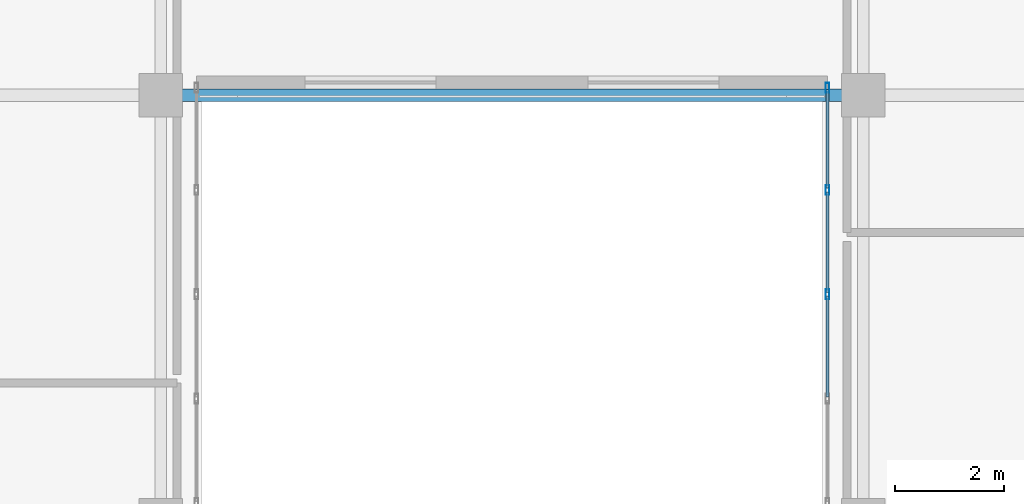
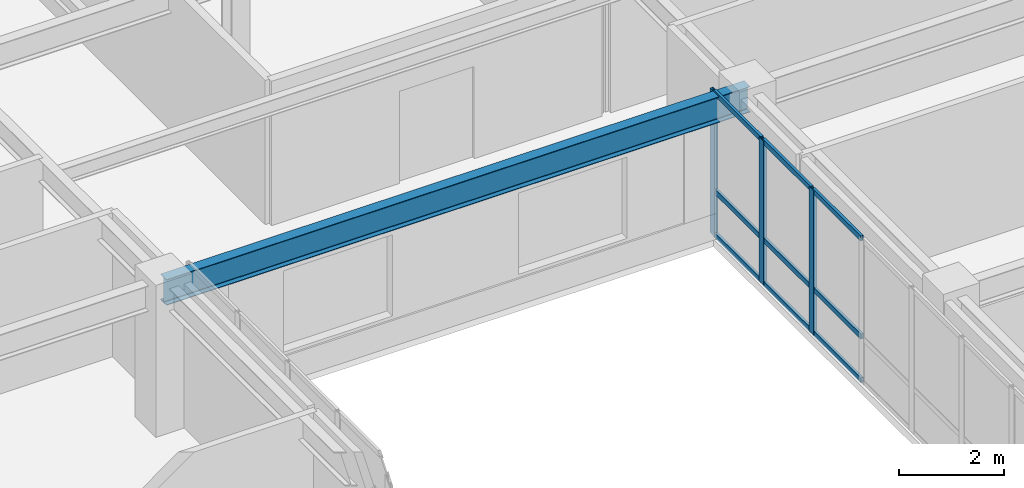
# One storey, part 6 of 20: 12 members, 1 beam, 1 element without a shape of its own.
"""IFC4 building model written with IfcOpenShell, lengths in metres."""

import ifcopenshell
import ifcopenshell.guid

model = None  # the IFC model being written
_history = None  # IfcOwnerHistory: only IFC2X3 demands one
_inside = {}  # id of a spatial element -> (the spatial element, [elements in it])
_under = {}  # id of a project, library or spatial element -> (it, [spatial elements below it])
_declared = {}  # id of a project -> (the project, [libraries it declares])
_typed = {}  # id of a type object -> (the type object, [elements of that type])
_made_of = {}  # id of a material, layer set ... -> (it, [elements and type objects made of it])


def new_model(schema):
    """Start an empty IFC model of exactly this schema.

    Asked for "IFC4X3", IfcOpenShell would pick the latest addendum, in which some entities
    have other attributes; the version numbers below select the first issue.
    IFC2X3 requires an IfcOwnerHistory on every rooted entity: one is made here for all.
    """
    global model, _history
    if schema == "IFC4X3":
        model = ifcopenshell.file(schema_version=(4, 3, 0, 0))
    else:
        model = ifcopenshell.file(schema=schema)
    _inside.clear()
    _under.clear()
    _declared.clear()
    _typed.clear()
    _made_of.clear()
    _history = None
    if model.schema == "IFC2X3":
        org = make("IfcOrganization", Name="unknown")
        user = make(
            "IfcPersonAndOrganization",
            ThePerson=make("IfcPerson", FamilyName="unknown"),
            TheOrganization=org,
        )
        app = make(
            "IfcApplication",
            ApplicationDeveloper=org,
            Version="unknown",
            ApplicationFullName="unknown",
            ApplicationIdentifier="unknown",
        )
        _history = make(
            "IfcOwnerHistory",
            OwningUser=user,
            OwningApplication=app,
            ChangeAction="ADDED",
            CreationDate=0,
        )
    return model


def make(cls, **values):
    """One entity of the class cls with the attributes given. An attribute that is None is left unset."""
    return model.create_entity(
        cls, **{name: value for name, value in values.items() if value is not None}
    )


def rooted(cls, **values):
    """An entity with a GlobalId (a new one), such as an element, a storey or a relation."""
    return make(cls, GlobalId=ifcopenshell.guid.new(), OwnerHistory=_history, **values)


def si_unit(unit_type, name, prefix=None):
    """IfcSIUnit, for example si_unit("LENGTHUNIT", "METRE", prefix="MILLI")."""
    return make("IfcSIUnit", UnitType=unit_type, Prefix=prefix, Name=name)


def assignment(units):
    """IfcUnitAssignment: the units of a project."""
    return None if units is None else make("IfcUnitAssignment", Units=units)


def point(xyz):
    """IfcCartesianPoint."""
    return None if xyz is None else make("IfcCartesianPoint", Coordinates=xyz)


def direction(xyz):
    """IfcDirection."""
    return None if xyz is None else make("IfcDirection", DirectionRatios=xyz)


def frame(location, z_axis=None, x_axis=None):
    """IfcAxis2Placement3D, a coordinate frame: its origin and axes. An axis left out is left unset."""
    return make(
        "IfcAxis2Placement3D",
        Location=point(location),
        Axis=direction(z_axis),
        RefDirection=direction(x_axis),
    )


def frame_2d(location, x_axis=None):
    """IfcAxis2Placement2D, a coordinate frame in the plane: its origin and x axis."""
    return make(
        "IfcAxis2Placement2D", Location=point(location), RefDirection=direction(x_axis)
    )


def origin():
    """The frame at (0, 0, 0) with its axes left unset."""
    return frame((0.0, 0.0, 0.0))


def origin_2d():
    """The frame at (0, 0) in the plane with its x axis left unset."""
    return frame_2d((0.0, 0.0))


def place(relative_to, where):
    """IfcLocalPlacement: puts the frame where relative to a parent placement (None: the world)."""
    return make(
        "IfcLocalPlacement", PlacementRelTo=relative_to, RelativePlacement=where
    )


def context(
    kind, dimensions, precision=None, world=None, true_north=None, identifier=None
):
    """IfcGeometricRepresentationContext, for example the 3D "Model" context."""
    return make(
        "IfcGeometricRepresentationContext",
        ContextIdentifier=identifier,
        ContextType=kind,
        CoordinateSpaceDimension=dimensions,
        Precision=precision,
        WorldCoordinateSystem=world,
        TrueNorth=true_north,
    )


def subcontext(parent, identifier, kind, view, scale=None):
    """IfcGeometricRepresentationSubContext, for example "Body" below "Model"."""
    return make(
        "IfcGeometricRepresentationSubContext",
        ContextIdentifier=identifier,
        ContextType=kind,
        ParentContext=parent,
        TargetScale=scale,
        TargetView=view,
    )


def project(units=None, contexts=None):
    """IfcProject with its units and contexts."""
    return rooted(
        "IfcProject",
        Name="project",
        RepresentationContexts=contexts,
        UnitsInContext=assignment(units),
    )


def spatial(cls, under=None, at=None, **own):
    """A site, building, storey or space (cls), placed at a placement, below another one or the project."""
    s = rooted(cls, ObjectPlacement=at, **own)
    if under is not None:
        _under.setdefault(under.id(), (under, []))[1].append(s)
    return s


def profile(cls, at=None, kind="AREA", **sizes):
    """A parametric profile (cls). Its sizes go by their IFC names, for example OverallWidth=200.0."""
    return make(cls, ProfileType=kind, Position=at, **sizes)


def hollow_rectangle(**sizes):
    """IfcRectangleHollowProfileDef."""
    return profile("IfcRectangleHollowProfileDef", **sizes)


def i_section(**sizes):
    """IfcIShapeProfileDef."""
    return profile("IfcIShapeProfileDef", **sizes)


def extrude(swept, where, along, depth):
    """IfcExtrudedAreaSolid: the profile swept, set in the frame where, extruded along a direction by depth."""
    return make(
        "IfcExtrudedAreaSolid",
        SweptArea=swept,
        Position=where,
        ExtrudedDirection=direction(along),
        Depth=depth,
    )


def shape(context_of_items, identifier, shape_type, items):
    """IfcShapeRepresentation: the items that make up one representation, for example the "Body"."""
    return make(
        "IfcShapeRepresentation",
        ContextOfItems=context_of_items,
        RepresentationIdentifier=identifier,
        RepresentationType=shape_type,
        Items=items,
    )


def source(mapping_origin, context_of_items, identifier, shape_type, items):
    """IfcRepresentationMap: a shape defined once, which mapped items show again and again."""
    return make(
        "IfcRepresentationMap",
        MappingOrigin=mapping_origin,
        MappedRepresentation=shape(context_of_items, identifier, shape_type, items),
    )


def transform(
    local_origin,
    x_axis=None,
    y_axis=None,
    z_axis=None,
    scale=None,
    scale2=None,
    scale3=None,
    uniform=True,
):
    """IfcCartesianTransformationOperator3D, or its non-uniform kind. x_axis, y_axis, z_axis: its Axis1, 2, 3."""
    if uniform:
        return make(
            "IfcCartesianTransformationOperator3D",
            Axis1=direction(x_axis),
            Axis2=direction(y_axis),
            LocalOrigin=point(local_origin),
            Scale=scale,
            Axis3=direction(z_axis),
        )
    return make(
        "IfcCartesianTransformationOperator3DnonUniform",
        Axis1=direction(x_axis),
        Axis2=direction(y_axis),
        LocalOrigin=point(local_origin),
        Scale=scale,
        Axis3=direction(z_axis),
        Scale2=scale2,
        Scale3=scale3,
    )


def mapped(mapping_source, mapping_target):
    """IfcMappedItem: shows the shape of a source again, moved by a transform."""
    return make(
        "IfcMappedItem", MappingSource=mapping_source, MappingTarget=mapping_target
    )


def material(Name=None, Category=None):
    """IfcMaterial."""
    return make("IfcMaterial", Name=Name, Category=Category)


def layer(
    of_material, thickness, ventilated=None, Name=None, Category=None, Priority=None
):
    """IfcMaterialLayer: one layer of a wall or slab, of a material (None: an air gap)."""
    return make(
        "IfcMaterialLayer",
        Material=of_material,
        LayerThickness=thickness,
        IsVentilated=ventilated,
        Name=Name,
        Category=Category,
        Priority=Priority,
    )


def layer_set(layers, Name=None):
    """IfcMaterialLayerSet."""
    return make("IfcMaterialLayerSet", MaterialLayers=layers, LayerSetName=Name)


def material_profile(
    of_material, cross_section, Name=None, Category=None, Priority=None
):
    """IfcMaterialProfile: a cross section and its material."""
    return make(
        "IfcMaterialProfile",
        Name=Name,
        Material=of_material,
        Profile=cross_section,
        Priority=Priority,
        Category=Category,
    )


def profile_set(profiles, Name=None, composite=None):
    """IfcMaterialProfileSet."""
    return make(
        "IfcMaterialProfileSet",
        Name=Name,
        MaterialProfiles=profiles,
        CompositeProfile=composite,
    )


def made_of(thing, what):
    """Note that an element or type object is made of a material, layer set ...; save() writes the relation."""
    if what is not None:
        _made_of.setdefault(what.id(), (what, []))[1].append(thing)
    return thing


def type_object(cls, material=None, **own):
    """A type object (cls), such as IfcWallType, which elements share."""
    return made_of(rooted(cls, **own), material)


def type_shapes(of_type, sources):
    """Give a type object the sources (RepresentationMaps) that its elements show as mapped items."""
    of_type.RepresentationMaps = sources


def element(
    cls,
    number,
    at=None,
    inside=None,
    cuts=None,
    type_object=None,
    material=None,
    context=None,
    identifier="Body",
    shape_type=None,
    held_by="IfcProductDefinitionShape",
    body=None,
    shapes=None,
    **own,
):
    """One element of the class cls, such as IfcWall. Its Tag is "e" and its number.

    at: its placement. inside: the storey or other place that contains it. cuts: it is an
    opening in that element (IfcRelVoidsElement). A single representation is given by context,
    identifier, shape_type and body (its items); several are given by shapes. held_by: the class
    of the entity that holds the representations. save() writes the other relations.
    """
    e = rooted(cls, Tag="e%d" % number, ObjectPlacement=at, **own)
    if body is not None:
        shapes = [shape(context, identifier, shape_type, body)]
    if shapes is not None:
        e.Representation = make(held_by, Representations=shapes)
    if inside is not None:
        _inside.setdefault(inside.id(), (inside, []))[1].append(e)
    if cuts is not None:
        rooted(
            "IfcRelVoidsElement", RelatingBuildingElement=cuts, RelatedOpeningElement=e
        )
    if type_object is not None:
        _typed.setdefault(type_object.id(), (type_object, []))[1].append(e)
    return made_of(e, material)


def aggregate(whole, parts):
    """IfcRelAggregates: a whole, such as a stair, and the parts it consists of."""
    return rooted("IfcRelAggregates", RelatingObject=whole, RelatedObjects=parts)


def save(model, path):
    """Write the relations noted so far, then the file.

    IfcRelAggregates (storeys below a building ...), IfcRelContainedInSpatialStructure (elements
    in a storey), IfcRelDefinesByType, IfcRelAssociatesMaterial and IfcRelDeclares: one each for
    every whole, place, type object, material and project.
    """
    for whole, parts in _under.values():
        aggregate(whole, parts)
    for where, things in _inside.values():
        rooted(
            "IfcRelContainedInSpatialStructure",
            RelatedElements=things,
            RelatingStructure=where,
        )
    for kind, things in _typed.values():
        rooted("IfcRelDefinesByType", RelatedObjects=things, RelatingType=kind)
    for what, things in _made_of.values():
        rooted("IfcRelAssociatesMaterial", RelatedObjects=things, RelatingMaterial=what)
    for by, libraries in _declared.values():
        rooted("IfcRelDeclares", RelatingContext=by, RelatedDefinitions=libraries)
    model.write(path)


model = new_model("IFC4")

# Units and contexts
model_context = context("Model", 3, precision=1e-05, world=origin(), true_north=direction((0.0, 1.0)))
body_context = subcontext(model_context, "Body", "Model", "MODEL_VIEW")
ifc_project = project(units=[si_unit("LENGTHUNIT", "METRE"), si_unit("AREAUNIT", "SQUARE_METRE"), si_unit("VOLUMEUNIT", "CUBIC_METRE"), si_unit("PLANEANGLEUNIT", "RADIAN"), si_unit("MASSUNIT", "GRAM", prefix="KILO")], contexts=[model_context])

# Site, building, storey
site_placement = place(None, origin())
site = spatial("IfcSite", under=ifc_project, at=site_placement, CompositionType="ELEMENT")
building_placement = place(site_placement, origin())
building = spatial("IfcBuilding", under=site, at=building_placement, Name="Tolvann Quenvar Hotel", CompositionType="ELEMENT")
storey_placement = place(building_placement, frame((0.0, 0.0, 175.449951171875)))
storey = spatial("IfcBuildingStorey", under=building, at=storey_placement, Name="L46", CompositionType="ELEMENT", Elevation=175.449951171875)

# Beam
ifc_material_1 = material(Name="Steel Grade 350", Category="steel")
ifc_material_profile_1 = material_profile(ifc_material_1, i_section(OverallWidth=0.22802734375, OverallDepth=0.60205078125, WebThickness=0.010498046875, FlangeThickness=0.014892578125, FilletRadius=0.013916015625, at=origin_2d()), Name="610UB101")
ifc_profile_set_1 = profile_set([ifc_material_profile_1], Name="Steel Grade 350")
beam_type = type_object("IfcBeamType", Name="BM_GIRD_610UB101", PredefinedType="BEAM", material=ifc_profile_set_1)
shared_shape_1 = source(origin(), body_context, "Body", "SweptSolid", [
    extrude(i_section(OverallWidth=0.22802734375, OverallDepth=0.60205078125, WebThickness=0.010498046875, FlangeThickness=0.014892578125, FilletRadius=0.013916015625, at=origin_2d()), origin(), (0.0, 0.0, 1.0), 12.89990234375),
])
type_shapes(beam_type, [shared_shape_1])
beam_placement = place(storey_placement, frame((22.050048828125, 16.0, 3.069091796875), z_axis=(1.0, 0.0, 0.0), x_axis=(0.0, 1.0, 0.0)))
element("IfcBeam", 1, at=beam_placement, inside=storey, type_object=beam_type, Name="BM-L46-EW-4-E4-F4", PredefinedType="BEAM", context=body_context, shape_type="MappedRepresentation", body=[
    mapped(shared_shape_1, transform((0.0, 0.0, 0.0), x_axis=(1.0, 0.0, 0.0), y_axis=(0.0, 1.0, 0.0), z_axis=(0.0, 0.0, 1.0), scale=1.0)),
])

# Curtain wall, members
ifc_material_2 = material(Name="Thermally broken anodised architectural aluminium 6063-T6 and laminated low-E glass", Category="aluminium")
ifc_layer = layer(ifc_material_2, 0.179931640625)
ifc_layer_set = layer_set([ifc_layer], Name="Thermally broken anodised architectural aluminium 6063-T6 and laminated low-E glass")
curtain_wall_type = type_object("IfcCurtainWallType", Name="CW_SYS_SLOT_03", PredefinedType="USERDEFINED", material=ifc_layer_set)
curtain_wall_placement = place(storey_placement, origin())
curtain_wall = element("IfcCurtainWall", 2, at=curtain_wall_placement, inside=storey, type_object=curtain_wall_type, Name="Curtain Wall CW-SLOT-03 (CWR-L46-E07)", ObjectType="UNITISED CURTAIN WALL", PredefinedType="USERDEFINED")
ifc_material_3 = material(Name="Anodised architectural aluminium 6063-T6 framing", Category="aluminium")
ifc_material_profile_2 = material_profile(ifc_material_3, hollow_rectangle(XDim=0.070068359375, YDim=0.179931640625, WallThickness=0.00390625, at=origin_2d()), Name="180x70x4RHS")
ifc_profile_set_2 = profile_set([ifc_material_profile_2], Name="Anodised architectural aluminium 6063-T6 framing")
member_type_1 = type_object("IfcMemberType", Name="CW_MULL_180x70", PredefinedType="MULLION", material=ifc_profile_set_2)
shared_shape_2 = source(origin(), body_context, "Body", "SweptSolid", [
    extrude(hollow_rectangle(XDim=0.070068359375, YDim=0.179931640625, WallThickness=0.00390625, at=origin_2d()), origin(), (0.0, 0.0, 1.0), 3.3701171875),
])
type_shapes(member_type_1, [shared_shape_2])
member_1_placement = place(storey_placement, frame((34.2900390625, 16.139892578125, 0.0), z_axis=(0.0, 0.0, 1.0), x_axis=(1.0, 0.0, 0.0)))
member_1 = element("IfcMember", 3, at=member_1_placement, type_object=member_type_1, Name="CW-SLOT-03 mullion 1", PredefinedType="MULLION", context=body_context, shape_type="MappedRepresentation", body=[
    mapped(shared_shape_2, transform((0.0, 0.0, 0.0), x_axis=(1.0, 0.0, 0.0), y_axis=(0.0, 1.0, 0.0), z_axis=(0.0, 0.0, 1.0), scale=1.0)),
])
member_2_placement = place(storey_placement, frame((34.2900390625, 14.2607421875, 0.0), z_axis=(0.0, 0.0, 1.0), x_axis=(1.0, 0.0, 0.0)))
member_2 = element("IfcMember", 4, at=member_2_placement, type_object=member_type_1, Name="CW-SLOT-03 mullion 2", PredefinedType="MULLION", context=body_context, shape_type="MappedRepresentation", body=[
    mapped(shared_shape_2, transform((0.0, 0.0, 0.0), x_axis=(1.0, 0.0, 0.0), y_axis=(0.0, 1.0, 0.0), z_axis=(0.0, 0.0, 1.0), scale=1.0)),
])
member_3_placement = place(storey_placement, frame((34.2900390625, 12.346435546875, 0.0), z_axis=(0.0, 0.0, 1.0), x_axis=(1.0, 0.0, 0.0)))
member_3 = element("IfcMember", 5, at=member_3_placement, type_object=member_type_1, Name="CW-SLOT-03 mullion 3", PredefinedType="MULLION", context=body_context, shape_type="MappedRepresentation", body=[
    mapped(shared_shape_2, transform((0.0, 0.0, 0.0), x_axis=(1.0, 0.0, 0.0), y_axis=(0.0, 1.0, 0.0), z_axis=(0.0, 0.0, 1.0), scale=1.0)),
])
ifc_material_profile_3 = material_profile(ifc_material_3, hollow_rectangle(XDim=0.06005859375, YDim=0.1201171875, WallThickness=0.00341796875, at=origin_2d()), Name="120x60x3.5RHS")
ifc_profile_set_3 = profile_set([ifc_material_profile_3], Name="Anodised architectural aluminium 6063-T6 framing")
member_type_2 = type_object("IfcMemberType", Name="CW_TRAN_120x60", PredefinedType="USERDEFINED", material=ifc_profile_set_3)
shared_shape_3 = source(origin(), body_context, "Body", "SweptSolid", [
    extrude(hollow_rectangle(XDim=0.06005859375, YDim=0.1201171875, WallThickness=0.00341796875, at=origin_2d()), origin(), (0.0, 0.0, 1.0), 1.809326171875),
])
member_4_placement = place(storey_placement, frame((34.2900390625, 16.10498046875, 0.030029296875), z_axis=(0.0, -1.0, 0.0), x_axis=(1.0, 0.0, 0.0)))
member_4 = element("IfcMember", 6, at=member_4_placement, type_object=member_type_2, Name="CW-SLOT-03 transom 1.1", ObjectType="TRANSOM", PredefinedType="USERDEFINED", context=body_context, shape_type="MappedRepresentation", body=[
    mapped(shared_shape_3, transform((0.0, 0.0, 0.0), x_axis=(1.0, 0.0, 0.0), y_axis=(0.0, 1.0, 0.0), z_axis=(0.0, 0.0, 1.0), scale=1.0)),
])
member_5_placement = place(storey_placement, frame((34.2900390625, 16.10498046875, 1.050048828125), z_axis=(0.0, -1.0, 0.0), x_axis=(1.0, 0.0, 0.0)))
member_5 = element("IfcMember", 7, at=member_5_placement, type_object=member_type_2, Name="CW-SLOT-03 transom 1.2", ObjectType="TRANSOM", PredefinedType="USERDEFINED", context=body_context, shape_type="MappedRepresentation", body=[
    mapped(shared_shape_3, transform((0.0, 0.0, 0.0), x_axis=(1.0, 0.0, 0.0), y_axis=(0.0, 1.0, 0.0), z_axis=(0.0, 0.0, 1.0), scale=1.0)),
])
member_6_placement = place(storey_placement, frame((34.2900390625, 16.10498046875, 3.340087890625), z_axis=(0.0, -1.0, 0.0), x_axis=(1.0, 0.0, 0.0)))
member_6 = element("IfcMember", 8, at=member_6_placement, type_object=member_type_2, Name="CW-SLOT-03 transom 1.3", ObjectType="TRANSOM", PredefinedType="USERDEFINED", context=body_context, shape_type="MappedRepresentation", body=[
    mapped(shared_shape_3, transform((0.0, 0.0, 0.0), x_axis=(1.0, 0.0, 0.0), y_axis=(0.0, 1.0, 0.0), z_axis=(0.0, 0.0, 1.0), scale=1.0)),
])
shared_shape_4 = source(origin(), body_context, "Body", "SweptSolid", [
    extrude(hollow_rectangle(XDim=0.06005859375, YDim=0.1201171875, WallThickness=0.00341796875, at=origin_2d()), origin(), (0.0, 0.0, 1.0), 1.844482421875),
])
type_shapes(member_type_2, [shared_shape_3, shared_shape_4])
member_7_placement = place(storey_placement, frame((34.2900390625, 14.225830078125, 0.030029296875), z_axis=(0.0, -1.0, 0.0), x_axis=(1.0, 0.0, 0.0)))
member_7 = element("IfcMember", 9, at=member_7_placement, type_object=member_type_2, Name="CW-SLOT-03 transom 2.1", ObjectType="TRANSOM", PredefinedType="USERDEFINED", context=body_context, shape_type="MappedRepresentation", body=[
    mapped(shared_shape_4, transform((0.0, 0.0, 0.0), x_axis=(1.0, 0.0, 0.0), y_axis=(0.0, 1.0, 0.0), z_axis=(0.0, 0.0, 1.0), scale=1.0)),
])
member_8_placement = place(storey_placement, frame((34.2900390625, 14.225830078125, 1.050048828125), z_axis=(0.0, -1.0, 0.0), x_axis=(1.0, 0.0, 0.0)))
member_8 = element("IfcMember", 10, at=member_8_placement, type_object=member_type_2, Name="CW-SLOT-03 transom 2.2", ObjectType="TRANSOM", PredefinedType="USERDEFINED", context=body_context, shape_type="MappedRepresentation", body=[
    mapped(shared_shape_4, transform((0.0, 0.0, 0.0), x_axis=(1.0, 0.0, 0.0), y_axis=(0.0, 1.0, 0.0), z_axis=(0.0, 0.0, 1.0), scale=1.0)),
])
member_9_placement = place(storey_placement, frame((34.2900390625, 14.225830078125, 3.340087890625), z_axis=(0.0, -1.0, 0.0), x_axis=(1.0, 0.0, 0.0)))
member_9 = element("IfcMember", 11, at=member_9_placement, type_object=member_type_2, Name="CW-SLOT-03 transom 2.3", ObjectType="TRANSOM", PredefinedType="USERDEFINED", context=body_context, shape_type="MappedRepresentation", body=[
    mapped(shared_shape_4, transform((0.0, 0.0, 0.0), x_axis=(1.0, 0.0, 0.0), y_axis=(0.0, 1.0, 0.0), z_axis=(0.0, 0.0, 1.0), scale=1.0)),
])
member_10_placement = place(storey_placement, frame((34.2900390625, 12.3115234375, 0.030029296875), z_axis=(0.0, -1.0, 0.0), x_axis=(1.0, 0.0, 0.0)))
member_10 = element("IfcMember", 12, at=member_10_placement, type_object=member_type_2, Name="CW-SLOT-03 transom 3.1", ObjectType="TRANSOM", PredefinedType="USERDEFINED", context=body_context, shape_type="MappedRepresentation", body=[
    mapped(shared_shape_4, transform((0.0, 0.0, 0.0), x_axis=(1.0, 0.0, 0.0), y_axis=(0.0, 1.0, 0.0), z_axis=(0.0, 0.0, 1.0), scale=1.0)),
])
member_11_placement = place(storey_placement, frame((34.2900390625, 12.3115234375, 1.050048828125), z_axis=(0.0, -1.0, 0.0), x_axis=(1.0, 0.0, 0.0)))
member_11 = element("IfcMember", 13, at=member_11_placement, type_object=member_type_2, Name="CW-SLOT-03 transom 3.2", ObjectType="TRANSOM", PredefinedType="USERDEFINED", context=body_context, shape_type="MappedRepresentation", body=[
    mapped(shared_shape_4, transform((0.0, 0.0, 0.0), x_axis=(1.0, 0.0, 0.0), y_axis=(0.0, 1.0, 0.0), z_axis=(0.0, 0.0, 1.0), scale=1.0)),
])
member_12_placement = place(storey_placement, frame((34.2900390625, 12.3115234375, 3.340087890625), z_axis=(0.0, -1.0, 0.0), x_axis=(1.0, 0.0, 0.0)))
member_12 = element("IfcMember", 14, at=member_12_placement, type_object=member_type_2, Name="CW-SLOT-03 transom 3.3", ObjectType="TRANSOM", PredefinedType="USERDEFINED", context=body_context, shape_type="MappedRepresentation", body=[
    mapped(shared_shape_4, transform((0.0, 0.0, 0.0), x_axis=(1.0, 0.0, 0.0), y_axis=(0.0, 1.0, 0.0), z_axis=(0.0, 0.0, 1.0), scale=1.0)),
])
aggregate(curtain_wall, [member_1, member_2, member_3, member_4, member_5, member_6, member_7, member_8, member_9, member_10, member_11, member_12])

save(model, "model.ifc")
